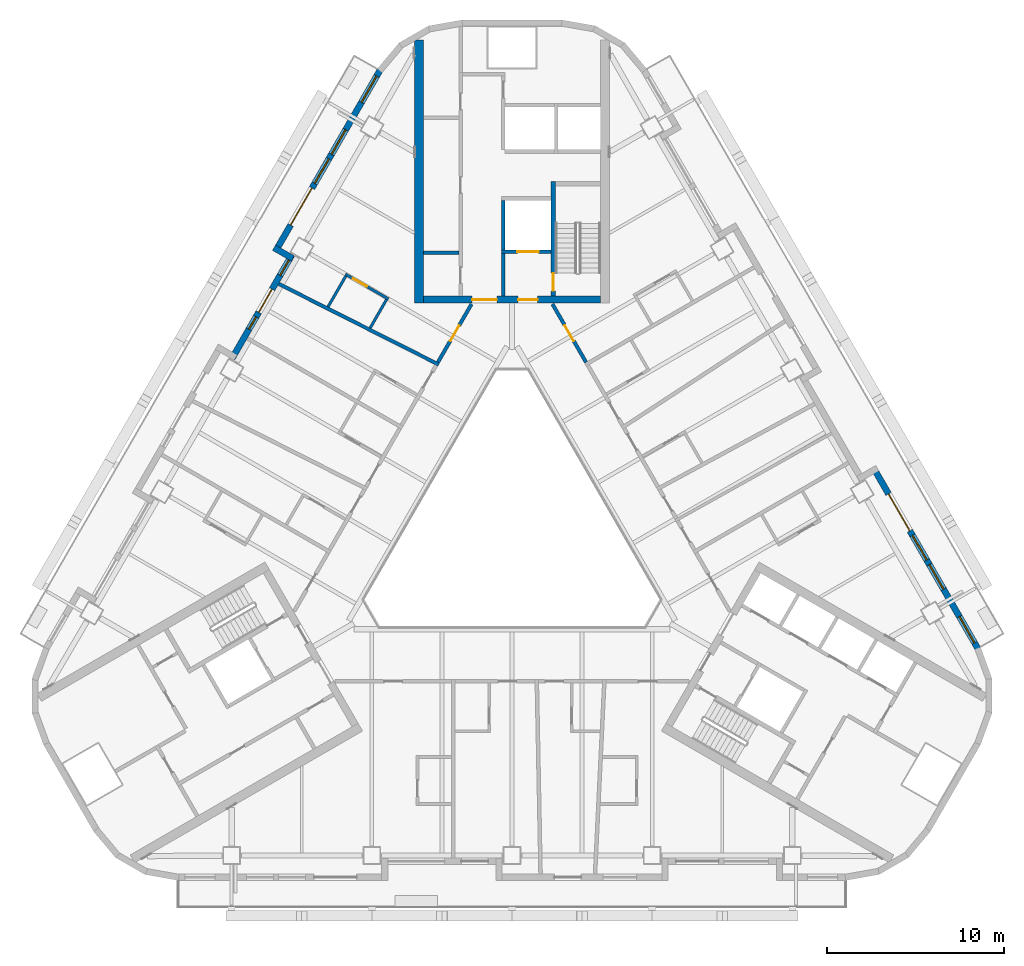
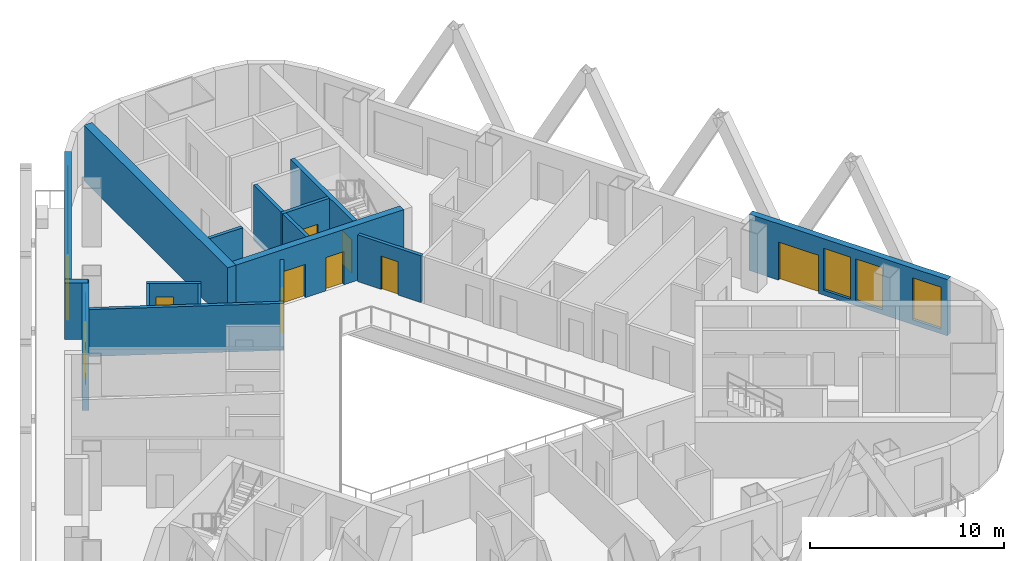
# One storey, part 9 of 17: 17 walls, 10 doors, 8 windows, 18 openings.
"""IFC4 building model written with IfcOpenShell, lengths in metres."""

from ifc_helpers import new_model, si_unit, direction, frame, frame_2d, origin, place, context, subcontext, project, spatial, rectangle, extrude, material, layer, layer_set, type_object, element, fill, save


model = new_model("IFC4")

# Units and contexts
model_context = context("Model", 3, precision=1e-05, world=origin(), true_north=direction((0.0, 1.0)))
body_context = subcontext(model_context, "Body", "Model", "MODEL_VIEW")
ifc_project = project(units=[si_unit("LENGTHUNIT", "METRE"), si_unit("AREAUNIT", "SQUARE_METRE"), si_unit("VOLUMEUNIT", "CUBIC_METRE"), si_unit("PLANEANGLEUNIT", "RADIAN"), si_unit("MASSUNIT", "GRAM", prefix="KILO")], contexts=[model_context])

# Site, building, storey
site_placement = place(None, origin())
site = spatial("IfcSite", under=ifc_project, at=site_placement, CompositionType="ELEMENT")
building_placement = place(site_placement, origin())
building = spatial("IfcBuilding", under=site, at=building_placement, Name="Apuvela Tower Hotel", CompositionType="ELEMENT")
storey_placement = place(building_placement, frame((0.0, 0.0, 46.5)))
storey = spatial("IfcBuildingStorey", under=building, at=storey_placement, Name="L08", CompositionType="ELEMENT", Elevation=46.5)

# Wall, openings, doors
ifc_material_1 = material(Name="Concrete C50/60", Category="concrete")
ifc_layer_1 = layer(ifc_material_1, 0.39990234375)
ifc_layer_set_1 = layer_set([ifc_layer_1], Name="COR-WALL-CORE-400")
wall_type_1 = type_object("IfcWallType", Name="COR-WALL-CORE-400", PredefinedType="SHEAR", material=ifc_layer_set_1)
wall_1_placement = place(storey_placement, frame((5.0, 13.10009765625, 0.0), z_axis=(0.0, 0.0, 1.0), x_axis=(-1.0, 0.0, 0.0)))
wall_1 = element("IfcWall", 1, at=wall_1_placement, inside=storey, type_object=wall_type_1, Name="Core wall N", PredefinedType="SHEAR", context=body_context, shape_type="SweptSolid", body=[
    extrude(rectangle(XDim=10.0, YDim=0.39990234375, at=frame_2d((5.0, 0.0))), origin(), (0.0, 0.0, 1.0), 3.5),
])
opening_1_placement = place(wall_1_placement, frame((3.550048828125, 0.0, 0.0)))
opening_1 = element("IfcOpeningElement", 2, at=opening_1_placement, cuts=wall_1, Name="Opening N-FD", PredefinedType="OPENING", context=body_context, shape_type="SweptSolid", body=[
    extrude(rectangle(XDim=1.10009765625, YDim=2.10009765625, at=frame_2d((0.550048828125, 1.050048828125))), frame((0.0, 0.2099609375, 0.0), z_axis=(0.0, -1.0, 0.0), x_axis=(1.0, 0.0, 0.0)), (0.0, 0.0, 1.0), 0.419921875),
])
opening_2_placement = place(wall_1_placement, frame((5.85009765625, 0.0, 0.0)))
opening_2 = element("IfcOpeningElement", 3, at=opening_2_placement, cuts=wall_1, Name="Opening N-GD", PredefinedType="OPENING", context=body_context, shape_type="SweptSolid", body=[
    extrude(rectangle(XDim=1.39990234375, YDim=2.10009765625, at=frame_2d((0.699951171875, 1.050048828125))), frame((0.0, 0.2099609375, 0.0), z_axis=(0.0, -1.0, 0.0), x_axis=(1.0, 0.0, 0.0)), (0.0, 0.0, 1.0), 0.419921875),
])
ifc_material_2 = material(Name="Steel fire door, powder coated", Category="steel")
door_type_1 = type_object("IfcDoorType", Name="COR-FD-1100", OperationType="NOTDEFINED", PredefinedType="DOOR", material=ifc_material_2)
door_1_placement = place(opening_1_placement, frame((1.10009765625, 0.0, 0.0), z_axis=(0.0, 0.0, 1.0), x_axis=(-1.0, 0.0, 0.0)))
door_1 = element("IfcDoor", 4, at=door_1_placement, inside=storey, type_object=door_type_1, Name="Firefighting lobby door N-FD", OperationType="SINGLE_SWING_LEFT", OverallHeight=2.10009765625, OverallWidth=1.10009765625, PredefinedType="DOOR", context=body_context, shape_type="SweptSolid", body=[
    extrude(rectangle(XDim=1.10009765625, YDim=2.10009765625, at=frame_2d((0.550048828125, 1.050048828125))), frame((0.0, 0.02490234375, 0.0), z_axis=(0.0, -1.0, 0.0), x_axis=(1.0, 0.0, 0.0)), (0.0, 0.0, 1.0), 0.050048828125),
])
fill(opening_1, door_1)
ifc_material_3 = material(Name="Glazed steel fire door", Category="steel")
door_type_2 = type_object("IfcDoorType", Name="COR-GD-1400", OperationType="DOUBLE_DOOR_SINGLE_SWING", PredefinedType="DOOR", material=ifc_material_3)
door_2_placement = place(opening_2_placement, frame((1.39990234375, 0.0, 0.0), z_axis=(0.0, 0.0, 1.0), x_axis=(-1.0, 0.0, 0.0)))
door_2 = element("IfcDoor", 5, at=door_2_placement, inside=storey, type_object=door_type_2, Name="Lift lobby door N-GD", OperationType="DOUBLE_DOOR_SINGLE_SWING", OverallHeight=2.10009765625, OverallWidth=1.39990234375, PredefinedType="DOOR", context=body_context, shape_type="SweptSolid", body=[
    extrude(rectangle(XDim=1.39990234375, YDim=2.10009765625, at=frame_2d((0.699951171875, 1.050048828125))), frame((0.0, 0.02490234375, 0.0), z_axis=(0.0, -1.0, 0.0), x_axis=(1.0, 0.0, 0.0)), (0.0, 0.0, 1.0), 0.050048828125),
])
fill(opening_2, door_2)

# Wall
ifc_layer_2 = layer(ifc_material_1, 0.5)
ifc_layer_set_2 = layer_set([ifc_layer_2], Name="COR-WALL-CORE-500")
wall_type_2 = type_object("IfcWallType", Name="COR-WALL-CORE-500", PredefinedType="SHEAR", material=ifc_layer_set_2)
wall_2_placement = place(storey_placement, frame((-5.25, 12.89990234375, 0.0), z_axis=(0.0, 0.0, 1.0), x_axis=(0.0, 1.0, 0.0)))
element("IfcWall", 6, at=wall_2_placement, inside=storey, type_object=wall_type_2, Name="Core wall N", PredefinedType="SHEAR", context=body_context, shape_type="SweptSolid", body=[
    extrude(rectangle(XDim=14.8369140625, YDim=0.5, at=frame_2d((7.41845703125, 0.0))), origin(), (0.0, 0.0, 1.0), 3.5),
])

# Wall, opening, door
ifc_layer_3 = layer(ifc_material_1, 0.199951171875)
ifc_layer_set_3 = layer_set([ifc_layer_3], Name="COR-WALL-SHAFT-200")
wall_type_3 = type_object("IfcWallType", Name="COR-WALL-SHAFT-200", PredefinedType="SHEAR", material=ifc_layer_set_3)
wall_3_placement = place(storey_placement, frame((2.199951171875, 15.800048828125, 0.0), z_axis=(0.0, 0.0, 1.0), x_axis=(-1.0, 0.0, 0.0)))
wall_3 = element("IfcWall", 7, at=wall_3_placement, inside=storey, type_object=wall_type_3, Name="Shaft wall N", PredefinedType="SHEAR", context=body_context, shape_type="SweptSolid", body=[
    extrude(rectangle(XDim=2.800048828125, YDim=0.199951171875, at=frame_2d((1.39990234375, 0.0))), origin(), (0.0, 0.0, 1.0), 3.5),
])
opening_3_placement = place(wall_3_placement, frame((0.699951171875, 0.0, 0.0)))
opening_3 = element("IfcOpeningElement", 8, at=opening_3_placement, cuts=wall_3, Name="Opening N-LD-FS1", PredefinedType="OPENING", context=body_context, shape_type="SweptSolid", body=[
    extrude(rectangle(XDim=1.199951171875, YDim=2.10009765625, at=frame_2d((0.60009765625, 1.050048828125))), frame((0.0, 0.10986328125, 0.0), z_axis=(0.0, -1.0, 0.0), x_axis=(1.0, 0.0, 0.0)), (0.0, 0.0, 1.0), 0.219970703125),
])
ifc_material_4 = material(Name="Stainless steel lift landing door", Category="steel")
door_type_3 = type_object("IfcDoorType", Name="COR-LD-1200", OperationType="DOUBLE_DOOR_SLIDING", PredefinedType="DOOR", material=ifc_material_4)
door_3_placement = place(opening_3_placement, origin())
door_3 = element("IfcDoor", 9, at=door_3_placement, inside=storey, type_object=door_type_3, Name="Lift landing door N-LD-FS1", OperationType="DOUBLE_DOOR_SLIDING", OverallHeight=2.10009765625, OverallWidth=1.199951171875, PredefinedType="DOOR", context=body_context, shape_type="SweptSolid", body=[
    extrude(rectangle(XDim=1.199951171875, YDim=2.10009765625, at=frame_2d((0.60009765625, 1.050048828125))), frame((0.0, 0.02490234375, 0.0), z_axis=(0.0, -1.0, 0.0), x_axis=(1.0, 0.0, 0.0)), (0.0, 0.0, 1.0), 0.050048828125),
])
fill(opening_3, door_3)

# Walls
wall_4_placement = place(storey_placement, frame((-0.5, 15.89990234375, 0.0), z_axis=(0.0, 0.0, 1.0), x_axis=(0.0, 1.0, 0.0)))
element("IfcWall", 10, at=wall_4_placement, inside=storey, type_object=wall_type_3, Name="Shaft wall N", PredefinedType="SHEAR", context=body_context, shape_type="SweptSolid", body=[
    extrude(rectangle(XDim=2.800048828125, YDim=0.199951171875, at=frame_2d((1.39990234375, 0.0))), origin(), (0.0, 0.0, 1.0), 3.5),
])
wall_5_placement = place(storey_placement, frame((-0.5, 13.300048828125, 0.0), z_axis=(0.0, 0.0, 1.0), x_axis=(0.0, 1.0, 0.0)))
element("IfcWall", 11, at=wall_5_placement, inside=storey, type_object=wall_type_3, Name="Shaft wall N", PredefinedType="SHEAR", context=body_context, shape_type="SweptSolid", body=[
    extrude(rectangle(XDim=2.39990234375, YDim=0.199951171875, at=frame_2d((1.199951171875, 0.0))), origin(), (0.0, 0.0, 1.0), 3.5),
])
wall_6_placement = place(storey_placement, frame((-3.0, 15.739990234375, 0.0), z_axis=(0.0, 0.0, 1.0), x_axis=(-1.0, 0.0, 0.0)))
element("IfcWall", 12, at=wall_6_placement, inside=storey, type_object=wall_type_3, Name="Shaft wall N", PredefinedType="SHEAR", context=body_context, shape_type="SweptSolid", body=[
    extrude(rectangle(XDim=2.0, YDim=0.199951171875, at=frame_2d((1.0, 0.0))), origin(), (0.0, 0.0, 1.0), 3.5),
])

# Wall, opening, door
ifc_layer_4 = layer(ifc_material_1, 0.25)
ifc_layer_set_4 = layer_set([ifc_layer_4], Name="COR-WALL-STAIR-250")
wall_type_4 = type_object("IfcWallType", Name="COR-WALL-STAIR-250", PredefinedType="SHEAR", material=ifc_layer_set_4)
wall_7_placement = place(storey_placement, frame((2.324951171875, 13.300048828125, 0.0), z_axis=(0.0, 0.0, 1.0), x_axis=(0.0, 1.0, 0.0)))
wall_7 = element("IfcWall", 13, at=wall_7_placement, inside=storey, type_object=wall_type_4, Name="Stair wall N", PredefinedType="SHEAR", context=body_context, shape_type="SweptSolid", body=[
    extrude(rectangle(XDim=6.449951171875, YDim=0.25, at=frame_2d((3.22509765625, 0.0))), origin(), (0.0, 0.0, 1.0), 3.5),
])
opening_4_placement = place(wall_7_placement, frame((0.300048828125, 0.0, 0.0)))
opening_4 = element("IfcOpeningElement", 14, at=opening_4_placement, cuts=wall_7, Name="Opening N-SD", PredefinedType="OPENING", context=body_context, shape_type="SweptSolid", body=[
    extrude(rectangle(XDim=1.0, YDim=2.10009765625, at=frame_2d((0.5, 1.050048828125))), frame((0.0, 0.135009765625, 0.0), z_axis=(0.0, -1.0, 0.0), x_axis=(1.0, 0.0, 0.0)), (0.0, 0.0, 1.0), 0.27001953125),
])
door_type_4 = type_object("IfcDoorType", Name="COR-SD-1000", OperationType="NOTDEFINED", PredefinedType="DOOR", material=ifc_material_2)
door_4_placement = place(opening_4_placement, frame((1.0, 0.0, 0.0), z_axis=(0.0, 0.0, 1.0), x_axis=(-1.0, 0.0, 0.0)))
door_4 = element("IfcDoor", 15, at=door_4_placement, inside=storey, type_object=door_type_4, Name="Stair door N-SD", OperationType="SINGLE_SWING_LEFT", OverallHeight=2.10009765625, OverallWidth=1.0, PredefinedType="DOOR", context=body_context, shape_type="SweptSolid", body=[
    extrude(rectangle(XDim=1.0, YDim=2.10009765625, at=frame_2d((0.5, 1.050048828125))), frame((0.0, 0.02490234375, 0.0), z_axis=(0.0, -1.0, 0.0), x_axis=(1.0, 0.0, 0.0)), (0.0, 0.0, 1.0), 0.050048828125),
])
fill(opening_4, door_4)

# Wall, openings, door, windows
ifc_material_5 = material(Name="Concrete C40/50, dark pigmented precast panel", Category="concrete")
ifc_layer_5 = layer(ifc_material_5, 0.35009765625)
ifc_layer_set_5 = layer_set([ifc_layer_5], Name="ENV-WALL-350")
wall_type_5 = type_object("IfcWallType", Name="ENV-WALL-350", PredefinedType="SOLIDWALL", material=ifc_layer_set_5)
wall_8_placement = place(storey_placement, frame((-7.440673828125, 26.0224609375, 0.0), z_axis=(0.0, 0.0, 1.0), x_axis=(-0.499992533062, -0.86602971478, 0.0)))
wall_8 = element("IfcWall", 16, at=wall_8_placement, inside=storey, type_object=wall_type_5, Name="External wall L08-01", PredefinedType="SOLIDWALL", context=body_context, shape_type="SweptSolid", body=[
    extrude(rectangle(XDim=11.815673828125, YDim=0.35009765625, at=frame_2d((5.90771484375, 0.0))), origin(), (0.0, 0.0, 1.0), 3.550048828125),
])
opening_5_placement = place(wall_8_placement, frame((0.381103515625, 0.0, 0.300048828125)))
opening_5 = element("IfcOpeningElement", 17, at=opening_5_placement, cuts=wall_8, Name="Opening WN17", PredefinedType="OPENING", context=body_context, shape_type="SweptSolid", body=[
    extrude(rectangle(XDim=1.699951171875, YDim=2.64990234375, at=frame_2d((0.85009765625, 1.324951171875))), frame((0.0, 0.18505859375, 0.0), z_axis=(0.0, -1.0, 0.0), x_axis=(1.0, 0.0, 0.0)), (0.0, 0.0, 1.0), 0.3701171875),
])
opening_6_placement = place(wall_8_placement, frame((7.66552734375, 0.0, 0.0)))
opening_6 = element("IfcOpeningElement", 18, at=opening_6_placement, cuts=wall_8, Name="Opening BD24", PredefinedType="OPENING", context=body_context, shape_type="SweptSolid", body=[
    extrude(rectangle(XDim=2.39990234375, YDim=2.39990234375, at=frame_2d((1.199951171875, 1.199951171875))), frame((0.0, 0.18505859375, 0.0), z_axis=(0.0, -1.0, 0.0), x_axis=(1.0, 0.0, 0.0)), (0.0, 0.0, 1.0), 0.3701171875),
])
opening_7_placement = place(wall_8_placement, frame((3.865478515625, 0.0, 0.300048828125)))
opening_7 = element("IfcOpeningElement", 19, at=opening_7_placement, cuts=wall_8, Name="Opening WN16", PredefinedType="OPENING", context=body_context, shape_type="SweptSolid", body=[
    extrude(rectangle(XDim=1.60009765625, YDim=2.64990234375, at=frame_2d((0.800048828125, 1.324951171875))), frame((0.0, 0.18505859375, 0.0), z_axis=(0.0, -1.0, 0.0), x_axis=(1.0, 0.0, 0.0)), (0.0, 0.0, 1.0), 0.3701171875),
])
opening_8_placement = place(wall_8_placement, frame((5.765380859375, 0.0, 0.300048828125)))
opening_8 = element("IfcOpeningElement", 20, at=opening_8_placement, cuts=wall_8, Name="Opening WN16", PredefinedType="OPENING", context=body_context, shape_type="SweptSolid", body=[
    extrude(rectangle(XDim=1.60009765625, YDim=2.64990234375, at=frame_2d((0.800048828125, 1.324951171875))), frame((0.0, 0.18505859375, 0.0), z_axis=(0.0, -1.0, 0.0), x_axis=(1.0, 0.0, 0.0)), (0.0, 0.0, 1.0), 0.3701171875),
])
ifc_material_6 = material(Name="Aluminium 6063-T6, dark bronze anodised frame with dark tinted laminated glass", Category="aluminium")
door_type_5 = type_object("IfcDoorType", Name="ENV-DOOR-BALCONY-2400x2400", OperationType="SLIDING_TO_LEFT", PredefinedType="DOOR", material=ifc_material_6)
door_5_placement = place(opening_6_placement, frame((2.39990234375, 0.0, 0.0), z_axis=(0.0, 0.0, 1.0), x_axis=(-1.0, 0.0, 0.0)))
door_5 = element("IfcDoor", 21, at=door_5_placement, inside=storey, type_object=door_type_5, Name="Balcony door BD24", OperationType="SLIDING_TO_LEFT", OverallHeight=2.39990234375, OverallWidth=2.39990234375, PredefinedType="DOOR", context=body_context, shape_type="SweptSolid", body=[
    extrude(rectangle(XDim=2.39990234375, YDim=2.39990234375, at=frame_2d((1.199951171875, 1.199951171875))), frame((0.0, 0.02490234375, 0.0), z_axis=(0.0, -1.0, 0.0), x_axis=(1.0, 0.0, 0.0)), (0.0, 0.0, 1.0), 0.050048828125),
])
fill(opening_6, door_5)
ifc_material_7 = material(Name="Glass, dark tinted laminated insulated glazing unit", Category="glass")
window_type_1 = type_object("IfcWindowType", Name="ENV-WIN-1600x2650", PartitioningType="SINGLE_PANEL", PredefinedType="WINDOW", material=ifc_material_7)
window_1_placement = place(opening_7_placement, origin())
window_1 = element("IfcWindow", 22, at=window_1_placement, inside=storey, type_object=window_type_1, Name="Window WN16", OverallHeight=2.64990234375, OverallWidth=1.60009765625, PartitioningType="SINGLE_PANEL", PredefinedType="WINDOW", context=body_context, shape_type="SweptSolid", body=[
    extrude(rectangle(XDim=1.60009765625, YDim=2.64990234375, at=frame_2d((0.800048828125, 1.324951171875))), frame((0.0, 0.030029296875, 0.0), z_axis=(0.0, -1.0, 0.0), x_axis=(1.0, 0.0, 0.0)), (0.0, 0.0, 1.0), 0.06005859375),
])
fill(opening_7, window_1)
window_2_placement = place(opening_8_placement, origin())
window_2 = element("IfcWindow", 23, at=window_2_placement, inside=storey, type_object=window_type_1, Name="Window WN16", OverallHeight=2.64990234375, OverallWidth=1.60009765625, PartitioningType="SINGLE_PANEL", PredefinedType="WINDOW", context=body_context, shape_type="SweptSolid", body=[
    extrude(rectangle(XDim=1.60009765625, YDim=2.64990234375, at=frame_2d((0.800048828125, 1.324951171875))), frame((0.0, 0.030029296875, 0.0), z_axis=(0.0, -1.0, 0.0), x_axis=(1.0, 0.0, 0.0)), (0.0, 0.0, 1.0), 0.06005859375),
])
fill(opening_8, window_2)
window_type_2 = type_object("IfcWindowType", Name="ENV-WIN-1700x2650", PartitioningType="SINGLE_PANEL", PredefinedType="WINDOW", material=ifc_material_7)
window_3_placement = place(opening_5_placement, origin())
window_3 = element("IfcWindow", 24, at=window_3_placement, inside=storey, type_object=window_type_2, Name="Window WN17", OverallHeight=2.64990234375, OverallWidth=1.699951171875, PartitioningType="SINGLE_PANEL", PredefinedType="WINDOW", context=body_context, shape_type="SweptSolid", body=[
    extrude(rectangle(XDim=1.699951171875, YDim=2.64990234375, at=frame_2d((0.85009765625, 1.324951171875))), frame((0.0, 0.030029296875, 0.0), z_axis=(0.0, -1.0, 0.0), x_axis=(1.0, 0.0, 0.0)), (0.0, 0.0, 1.0), 0.06005859375),
])
fill(opening_5, window_3)

# Wall
wall_9_placement = place(storey_placement, frame((-13.41259765625, 16.02880859375, 0.0), z_axis=(0.0, 0.0, 1.0), x_axis=(0.866005645448, -0.500034220881, 0.0)))
element("IfcWall", 25, at=wall_9_placement, inside=storey, type_object=wall_type_5, Name="External wall L08-02", PredefinedType="SOLIDWALL", context=body_context, shape_type="SweptSolid", body=[
    extrude(rectangle(XDim=1.22021484375, YDim=0.35009765625, at=frame_2d((0.610107421875, 0.0))), origin(), (0.0, 0.0, 1.0), 3.550048828125),
])

# Wall, openings, door, windows
wall_10_placement = place(storey_placement, frame((-12.408935546875, 15.616943359375, 0.0), z_axis=(0.0, 0.0, 1.0), x_axis=(-0.500003597184, -0.866023326939, 0.0)))
wall_10 = element("IfcWall", 26, at=wall_10_placement, inside=storey, type_object=wall_type_5, Name="External wall L08-03", PredefinedType="SOLIDWALL", context=body_context, shape_type="SweptSolid", body=[
    extrude(rectangle(XDim=6.740234375, YDim=0.35009765625, at=frame_2d((3.3701171875, 0.0))), origin(), (0.0, 0.0, 1.0), 3.550048828125),
])
opening_9_placement = place(wall_10_placement, frame((0.3203125, 0.0, 0.300048828125)))
opening_9 = element("IfcOpeningElement", 27, at=opening_9_placement, cuts=wall_10, Name="Opening WN10", PredefinedType="OPENING", context=body_context, shape_type="SweptSolid", body=[
    extrude(rectangle(XDim=1.0, YDim=2.64990234375, at=frame_2d((0.5, 1.324951171875))), frame((0.0, 0.18505859375, 0.0), z_axis=(0.0, -1.0, 0.0), x_axis=(1.0, 0.0, 0.0)), (0.0, 0.0, 1.0), 0.3701171875),
])
opening_10_placement = place(wall_10_placement, frame((2.22900390625, 0.0, 0.0)))
opening_10 = element("IfcOpeningElement", 28, at=opening_10_placement, cuts=wall_10, Name="Opening BD15", PredefinedType="OPENING", context=body_context, shape_type="SweptSolid", body=[
    extrude(rectangle(XDim=1.5, YDim=2.39990234375, at=frame_2d((0.75, 1.199951171875))), frame((0.0, 0.18505859375, 0.0), z_axis=(0.0, -1.0, 0.0), x_axis=(1.0, 0.0, 0.0)), (0.0, 0.0, 1.0), 0.3701171875),
])
opening_11_placement = place(wall_10_placement, frame((4.029052734375, 0.0, 0.300048828125)))
opening_11 = element("IfcOpeningElement", 29, at=opening_11_placement, cuts=wall_10, Name="Opening WN08", PredefinedType="OPENING", context=body_context, shape_type="SweptSolid", body=[
    extrude(rectangle(XDim=0.800048828125, YDim=2.64990234375, at=frame_2d((0.39990234375, 1.324951171875))), frame((0.0, 0.18505859375, 0.0), z_axis=(0.0, -1.0, 0.0), x_axis=(1.0, 0.0, 0.0)), (0.0, 0.0, 1.0), 0.3701171875),
])
door_type_6 = type_object("IfcDoorType", Name="ENV-DOOR-BALCONY-1500x2400", OperationType="SLIDING_TO_LEFT", PredefinedType="DOOR", material=ifc_material_6)
door_6_placement = place(opening_10_placement, frame((1.5, 0.0, 0.0), z_axis=(0.0, 0.0, 1.0), x_axis=(-1.0, 0.0, 0.0)))
door_6 = element("IfcDoor", 30, at=door_6_placement, inside=storey, type_object=door_type_6, Name="Balcony door BD15", OperationType="SLIDING_TO_LEFT", OverallHeight=2.39990234375, OverallWidth=1.5, PredefinedType="DOOR", context=body_context, shape_type="SweptSolid", body=[
    extrude(rectangle(XDim=1.5, YDim=2.39990234375, at=frame_2d((0.75, 1.199951171875))), frame((0.0, 0.02490234375, 0.0), z_axis=(0.0, -1.0, 0.0), x_axis=(1.0, 0.0, 0.0)), (0.0, 0.0, 1.0), 0.050048828125),
])
fill(opening_10, door_6)
window_type_3 = type_object("IfcWindowType", Name="ENV-WIN-1000x2650", PartitioningType="SINGLE_PANEL", PredefinedType="WINDOW", material=ifc_material_7)
window_4_placement = place(opening_9_placement, origin())
window_4 = element("IfcWindow", 31, at=window_4_placement, inside=storey, type_object=window_type_3, Name="Window WN10", OverallHeight=2.64990234375, OverallWidth=1.0, PartitioningType="SINGLE_PANEL", PredefinedType="WINDOW", context=body_context, shape_type="SweptSolid", body=[
    extrude(rectangle(XDim=1.0, YDim=2.64990234375, at=frame_2d((0.5, 1.324951171875))), frame((0.0, 0.030029296875, 0.0), z_axis=(0.0, -1.0, 0.0), x_axis=(1.0, 0.0, 0.0)), (0.0, 0.0, 1.0), 0.06005859375),
])
fill(opening_9, window_4)
window_type_4 = type_object("IfcWindowType", Name="ENV-WIN-800x2650", PartitioningType="SINGLE_PANEL", PredefinedType="WINDOW", material=ifc_material_7)
window_5_placement = place(opening_11_placement, origin())
window_5 = element("IfcWindow", 32, at=window_5_placement, inside=storey, type_object=window_type_4, Name="Window WN08", OverallHeight=2.64990234375, OverallWidth=0.800048828125, PartitioningType="SINGLE_PANEL", PredefinedType="WINDOW", context=body_context, shape_type="SweptSolid", body=[
    extrude(rectangle(XDim=0.800048828125, YDim=2.64990234375, at=frame_2d((0.39990234375, 1.324951171875))), frame((0.0, 0.030029296875, 0.0), z_axis=(0.0, -1.0, 0.0), x_axis=(1.0, 0.0, 0.0)), (0.0, 0.0, 1.0), 0.06005859375),
])
fill(opening_11, window_5)

wall_11_placement = place(storey_placement, frame((26.256591796875, -6.5673828125, 0.0), z_axis=(0.0, 0.0, 1.0), x_axis=(-0.500023526245, 0.866011820475, 0.0)))
wall_11 = element("IfcWall", 33, at=wall_11_placement, inside=storey, type_object=wall_type_5, Name="External wall L08-33", PredefinedType="SOLIDWALL", context=body_context, shape_type="SweptSolid", body=[
    extrude(rectangle(XDim=11.81591796875, YDim=0.35009765625, at=frame_2d((5.907958984375, 0.0))), origin(), (0.0, 0.0, 1.0), 3.550048828125),
])
opening_12_placement = place(wall_11_placement, frame((0.380126953125, 0.0, 0.300048828125)))
opening_12 = element("IfcOpeningElement", 34, at=opening_12_placement, cuts=wall_11, Name="Opening WN17", PredefinedType="OPENING", context=body_context, shape_type="SweptSolid", body=[
    extrude(rectangle(XDim=1.699951171875, YDim=2.64990234375, at=frame_2d((0.85009765625, 1.324951171875))), frame((0.0, 0.18505859375, 0.0), z_axis=(0.0, -1.0, 0.0), x_axis=(1.0, 0.0, 0.0)), (0.0, 0.0, 1.0), 0.3701171875),
])
opening_13_placement = place(wall_11_placement, frame((7.666015625, 0.0, 0.0)))
opening_13 = element("IfcOpeningElement", 35, at=opening_13_placement, cuts=wall_11, Name="Opening BD24", PredefinedType="OPENING", context=body_context, shape_type="SweptSolid", body=[
    extrude(rectangle(XDim=2.39990234375, YDim=2.39990234375, at=frame_2d((1.199951171875, 1.199951171875))), frame((0.0, 0.18505859375, 0.0), z_axis=(0.0, -1.0, 0.0), x_axis=(1.0, 0.0, 0.0)), (0.0, 0.0, 1.0), 0.3701171875),
])
opening_14_placement = place(wall_11_placement, frame((3.865234375, 0.0, 0.300048828125)))
opening_14 = element("IfcOpeningElement", 36, at=opening_14_placement, cuts=wall_11, Name="Opening WN16", PredefinedType="OPENING", context=body_context, shape_type="SweptSolid", body=[
    extrude(rectangle(XDim=1.60009765625, YDim=2.64990234375, at=frame_2d((0.800048828125, 1.324951171875))), frame((0.0, 0.18505859375, 0.0), z_axis=(0.0, -1.0, 0.0), x_axis=(1.0, 0.0, 0.0)), (0.0, 0.0, 1.0), 0.3701171875),
])
opening_15_placement = place(wall_11_placement, frame((5.765380859375, 0.0, 0.300048828125)))
opening_15 = element("IfcOpeningElement", 37, at=opening_15_placement, cuts=wall_11, Name="Opening WN16", PredefinedType="OPENING", context=body_context, shape_type="SweptSolid", body=[
    extrude(rectangle(XDim=1.60009765625, YDim=2.64990234375, at=frame_2d((0.800048828125, 1.324951171875))), frame((0.0, 0.18505859375, 0.0), z_axis=(0.0, -1.0, 0.0), x_axis=(1.0, 0.0, 0.0)), (0.0, 0.0, 1.0), 0.3701171875),
])
door_7_placement = place(opening_13_placement, frame((2.39990234375, 0.0, 0.0), z_axis=(0.0, 0.0, 1.0), x_axis=(-1.0, 0.0, 0.0)))
door_7 = element("IfcDoor", 38, at=door_7_placement, inside=storey, type_object=door_type_5, Name="Balcony door BD24", OperationType="SLIDING_TO_LEFT", OverallHeight=2.39990234375, OverallWidth=2.39990234375, PredefinedType="DOOR", context=body_context, shape_type="SweptSolid", body=[
    extrude(rectangle(XDim=2.39990234375, YDim=2.39990234375, at=frame_2d((1.199951171875, 1.199951171875))), frame((0.0, 0.02490234375, 0.0), z_axis=(0.0, -1.0, 0.0), x_axis=(1.0, 0.0, 0.0)), (0.0, 0.0, 1.0), 0.050048828125),
])
fill(opening_13, door_7)
window_6_placement = place(opening_14_placement, origin())
window_6 = element("IfcWindow", 39, at=window_6_placement, inside=storey, type_object=window_type_1, Name="Window WN16", OverallHeight=2.64990234375, OverallWidth=1.60009765625, PartitioningType="SINGLE_PANEL", PredefinedType="WINDOW", context=body_context, shape_type="SweptSolid", body=[
    extrude(rectangle(XDim=1.60009765625, YDim=2.64990234375, at=frame_2d((0.800048828125, 1.324951171875))), frame((0.0, 0.030029296875, 0.0), z_axis=(0.0, -1.0, 0.0), x_axis=(1.0, 0.0, 0.0)), (0.0, 0.0, 1.0), 0.06005859375),
])
fill(opening_14, window_6)
window_7_placement = place(opening_15_placement, origin())
window_7 = element("IfcWindow", 40, at=window_7_placement, inside=storey, type_object=window_type_1, Name="Window WN16", OverallHeight=2.64990234375, OverallWidth=1.60009765625, PartitioningType="SINGLE_PANEL", PredefinedType="WINDOW", context=body_context, shape_type="SweptSolid", body=[
    extrude(rectangle(XDim=1.60009765625, YDim=2.64990234375, at=frame_2d((0.800048828125, 1.324951171875))), frame((0.0, 0.030029296875, 0.0), z_axis=(0.0, -1.0, 0.0), x_axis=(1.0, 0.0, 0.0)), (0.0, 0.0, 1.0), 0.06005859375),
])
fill(opening_15, window_7)
window_8_placement = place(opening_12_placement, origin())
window_8 = element("IfcWindow", 41, at=window_8_placement, inside=storey, type_object=window_type_2, Name="Window WN17", OverallHeight=2.64990234375, OverallWidth=1.699951171875, PartitioningType="SINGLE_PANEL", PredefinedType="WINDOW", context=body_context, shape_type="SweptSolid", body=[
    extrude(rectangle(XDim=1.699951171875, YDim=2.64990234375, at=frame_2d((0.85009765625, 1.324951171875))), frame((0.0, 0.030029296875, 0.0), z_axis=(0.0, -1.0, 0.0), x_axis=(1.0, 0.0, 0.0)), (0.0, 0.0, 1.0), 0.06005859375),
])
fill(opening_12, window_8)

# Wall
ifc_material_8 = material(Name="Gypsum board partition on twin steel stud", Category="steel")
ifc_layer_6 = layer(ifc_material_8, 0.199951171875)
ifc_layer_set_6 = layer_set([ifc_layer_6], Name="GST-PW1")
wall_type_6 = type_object("IfcWallType", Name="GST-PW1", PredefinedType="PARTITIONING", material=ifc_layer_set_6)
wall_12_placement = place(storey_placement, frame((-13.147216796875, 13.988525390625, 0.0), z_axis=(0.0, 0.0, 1.0), x_axis=(0.892898572595, -0.450257858408, 0.0)))
element("IfcWall", 42, at=wall_12_placement, inside=storey, type_object=wall_type_6, Name="L08 partition 08", PredefinedType="PARTITIONING", context=body_context, shape_type="SweptSolid", body=[
    extrude(rectangle(XDim=10.09619140625, YDim=0.199951171875, at=frame_2d((5.048095703125, 0.0))), origin(), (0.0, 0.0, 1.0), 2.9599609375),
])

# Wall, opening, door
ifc_material_9 = material(Name="Gypsum board corridor wall on twin steel stud, acoustic", Category="steel")
ifc_layer_7 = layer(ifc_material_9, 0.199951171875)
ifc_layer_set_7 = layer_set([ifc_layer_7], Name="GST-PW2")
wall_type_7 = type_object("IfcWallType", Name="GST-PW2", PredefinedType="PARTITIONING", material=ifc_layer_set_7)
wall_13_placement = place(storey_placement, frame((2.280517578125, 12.85009765625, 0.0), z_axis=(0.0, 0.0, 1.0), x_axis=(0.499979074716, -0.866037484666, 0.0)))
wall_13 = element("IfcWall", 43, at=wall_13_placement, inside=storey, type_object=wall_type_7, Name="L08 partition 39", PredefinedType="PARTITIONING", context=body_context, shape_type="SweptSolid", body=[
    extrude(rectangle(XDim=3.788330078125, YDim=0.199951171875, at=frame_2d((1.89404296875, 0.0))), origin(), (0.0, 0.0, 1.0), 2.949951171875),
])
opening_16_placement = place(wall_13_placement, frame((1.39404296875, 0.0, 0.0)))
opening_16 = element("IfcOpeningElement", 44, at=opening_16_placement, cuts=wall_13, Name="Opening GD01-18", PredefinedType="OPENING", context=body_context, shape_type="SweptSolid", body=[
    extrude(rectangle(XDim=1.0, YDim=2.10009765625, at=frame_2d((0.5, 1.050048828125))), frame((0.0, 0.10986328125, 0.0), z_axis=(0.0, -1.0, 0.0), x_axis=(1.0, 0.0, 0.0)), (0.0, 0.0, 1.0), 0.219970703125),
])
ifc_material_10 = material(Name="Timber door leaf in steel frame", Category="steel")
door_type_7 = type_object("IfcDoorType", Name="GST-D1", OperationType="NOTDEFINED", PredefinedType="DOOR", material=ifc_material_10)
door_8_placement = place(opening_16_placement, origin())
door_8 = element("IfcDoor", 45, at=door_8_placement, inside=storey, type_object=door_type_7, Name="Door L08-18", OperationType="SINGLE_SWING_RIGHT", OverallHeight=2.10009765625, OverallWidth=1.0, PredefinedType="DOOR", context=body_context, shape_type="SweptSolid", body=[
    extrude(rectangle(XDim=1.0, YDim=2.10009765625, at=frame_2d((0.5, 1.050048828125))), frame((0.0, 0.02490234375, 0.0), z_axis=(0.0, -1.0, 0.0), x_axis=(1.0, 0.0, 0.0)), (0.0, 0.0, 1.0), 0.050048828125),
])
fill(opening_16, door_8)

wall_14_placement = place(storey_placement, frame((-4.171630859375, 9.574462890625, 0.0), z_axis=(0.0, 0.0, 1.0), x_axis=(0.499985062256, 0.866034027923, 0.0)))
wall_14 = element("IfcWall", 46, at=wall_14_placement, inside=storey, type_object=wall_type_7, Name="L08 partition 43", PredefinedType="PARTITIONING", context=body_context, shape_type="SweptSolid", body=[
    extrude(rectangle(XDim=3.7822265625, YDim=0.199951171875, at=frame_2d((1.89111328125, 0.0))), origin(), (0.0, 0.0, 1.0), 2.949951171875),
])
opening_17_placement = place(wall_14_placement, frame((1.39111328125, 0.0, 0.0)))
opening_17 = element("IfcOpeningElement", 47, at=opening_17_placement, cuts=wall_14, Name="Opening GD01-20", PredefinedType="OPENING", context=body_context, shape_type="SweptSolid", body=[
    extrude(rectangle(XDim=1.0, YDim=2.10009765625, at=frame_2d((0.5, 1.050048828125))), frame((0.0, 0.10986328125, 0.0), z_axis=(0.0, -1.0, 0.0), x_axis=(1.0, 0.0, 0.0)), (0.0, 0.0, 1.0), 0.219970703125),
])
door_9_placement = place(opening_17_placement, origin())
door_9 = element("IfcDoor", 48, at=door_9_placement, inside=storey, type_object=door_type_7, Name="Door L08-20", OperationType="SINGLE_SWING_LEFT", OverallHeight=2.10009765625, OverallWidth=1.0, PredefinedType="DOOR", context=body_context, shape_type="SweptSolid", body=[
    extrude(rectangle(XDim=1.0, YDim=2.10009765625, at=frame_2d((0.5, 1.050048828125))), frame((0.0, 0.02490234375, 0.0), z_axis=(0.0, -1.0, 0.0), x_axis=(1.0, 0.0, 0.0)), (0.0, 0.0, 1.0), 0.050048828125),
])
fill(opening_17, door_9)

ifc_material_11 = material(Name="Moisture-resistant gypsum board wet wall on steel stud", Category="steel")
ifc_layer_8 = layer(ifc_material_11, 0.14990234375)
ifc_layer_set_8 = layer_set([ifc_layer_8], Name="GST-PW3")
wall_type_8 = type_object("IfcWallType", Name="GST-PW3", PredefinedType="PARTITIONING", material=ifc_layer_set_8)
wall_15_placement = place(storey_placement, frame((-6.96533203125, 13.1357421875, 0.0), z_axis=(0.0, 0.0, 1.0), x_axis=(-0.866034573852, 0.49998411664, 0.0)))
wall_15 = element("IfcWall", 49, at=wall_15_placement, inside=storey, type_object=wall_type_8, Name="L08 partition 44", PredefinedType="PARTITIONING", context=body_context, shape_type="SweptSolid", body=[
    extrude(rectangle(XDim=2.7998046875, YDim=0.14990234375, at=frame_2d((1.39990234375, 0.0))), origin(), (0.0, 0.0, 1.0), 2.949951171875),
])
opening_18_placement = place(wall_15_placement, frame((1.39990234375, 0.0, 0.0)))
opening_18 = element("IfcOpeningElement", 50, at=opening_18_placement, cuts=wall_15, Name="Opening GD01-19", PredefinedType="OPENING", context=body_context, shape_type="SweptSolid", body=[
    extrude(rectangle(XDim=0.89990234375, YDim=2.10009765625, at=frame_2d((0.449951171875, 1.050048828125))), frame((0.0, 0.0849609375, 0.0), z_axis=(0.0, -1.0, 0.0), x_axis=(1.0, 0.0, 0.0)), (0.0, 0.0, 1.0), 0.169921875),
])
door_type_8 = type_object("IfcDoorType", Name="GST-D2", OperationType="NOTDEFINED", PredefinedType="DOOR", material=ifc_material_10)
door_10_placement = place(opening_18_placement, origin())
door_10 = element("IfcDoor", 51, at=door_10_placement, inside=storey, type_object=door_type_8, Name="Door L08-19", OperationType="SINGLE_SWING_RIGHT", OverallHeight=2.10009765625, OverallWidth=0.89990234375, PredefinedType="DOOR", context=body_context, shape_type="SweptSolid", body=[
    extrude(rectangle(XDim=0.89990234375, YDim=2.10009765625, at=frame_2d((0.449951171875, 1.050048828125))), frame((0.0, 0.02490234375, 0.0), z_axis=(0.0, -1.0, 0.0), x_axis=(1.0, 0.0, 0.0)), (0.0, 0.0, 1.0), 0.050048828125),
])
fill(opening_18, door_10)

# Walls
wall_16_placement = place(storey_placement, frame((-9.36279296875, 14.43310546875, 0.0), z_axis=(0.0, 0.0, 1.0), x_axis=(-0.500056363668, -0.86599285976, 0.0)))
element("IfcWall", 52, at=wall_16_placement, inside=storey, type_object=wall_type_8, Name="L08 partition 45", PredefinedType="PARTITIONING", context=body_context, shape_type="SweptSolid", body=[
    extrude(rectangle(XDim=2.004150390625, YDim=0.14990234375, at=frame_2d((1.001953125, 0.0))), origin(), (0.0, 0.0, 1.0), 2.949951171875),
])
wall_17_placement = place(storey_placement, frame((-7.06787109375, 13.108154296875, 0.0), z_axis=(0.0, 0.0, 1.0), x_axis=(-0.4999770169, -0.866038672677, 0.0)))
element("IfcWall", 53, at=wall_17_placement, inside=storey, type_object=wall_type_8, Name="L08 partition 46", PredefinedType="PARTITIONING", context=body_context, shape_type="SweptSolid", body=[
    extrude(rectangle(XDim=1.85400390625, YDim=0.14990234375, at=frame_2d((0.927001953125, 0.0))), origin(), (0.0, 0.0, 1.0), 2.949951171875),
])

save(model, "model.ifc")
